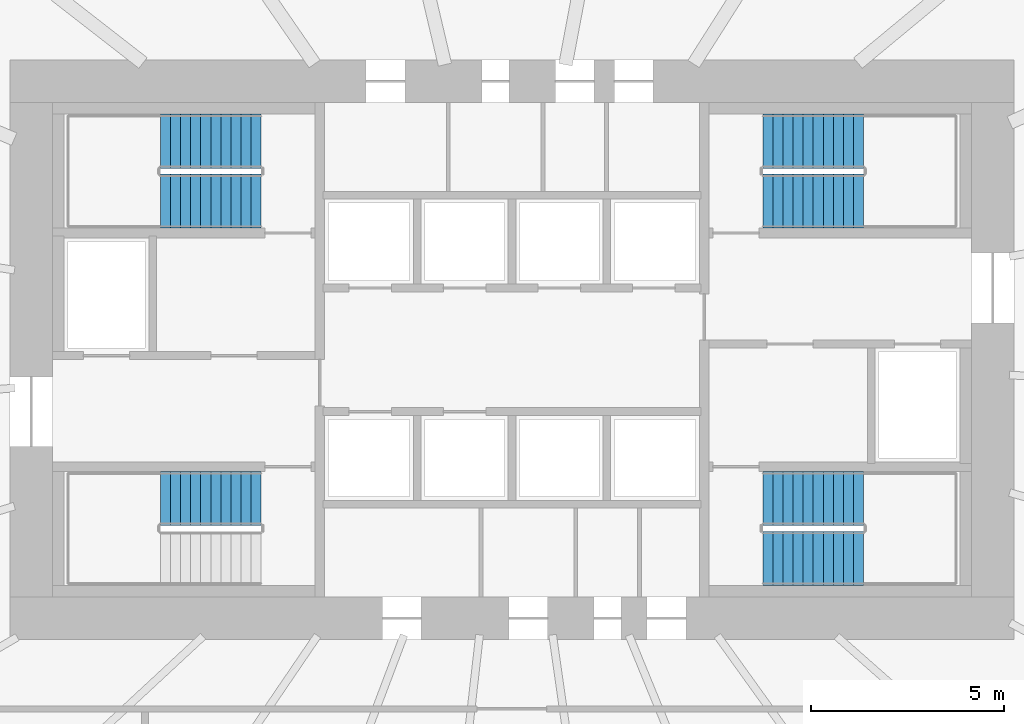
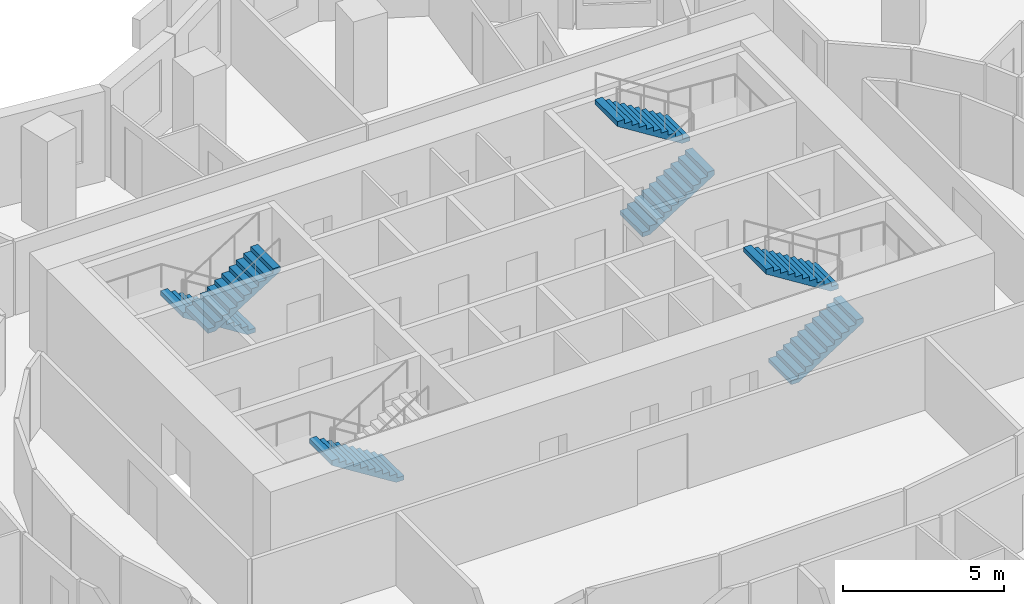
# One storey, part 11 of 13: 7 stair flights, 4 elements without a shape of their own.
"""IFC4 building model written with IfcOpenShell, lengths in metres."""

import ifcopenshell
import ifcopenshell.guid

model = None  # the IFC model being written
_history = None  # IfcOwnerHistory: only IFC2X3 demands one
_inside = {}  # id of a spatial element -> (the spatial element, [elements in it])
_under = {}  # id of a project, library or spatial element -> (it, [spatial elements below it])
_declared = {}  # id of a project -> (the project, [libraries it declares])
_typed = {}  # id of a type object -> (the type object, [elements of that type])
_made_of = {}  # id of a material, layer set ... -> (it, [elements and type objects made of it])


def new_model(schema):
    """Start an empty IFC model of exactly this schema.

    Asked for "IFC4X3", IfcOpenShell would pick the latest addendum, in which some entities
    have other attributes; the version numbers below select the first issue.
    IFC2X3 requires an IfcOwnerHistory on every rooted entity: one is made here for all.
    """
    global model, _history
    if schema == "IFC4X3":
        model = ifcopenshell.file(schema_version=(4, 3, 0, 0))
    else:
        model = ifcopenshell.file(schema=schema)
    _inside.clear()
    _under.clear()
    _declared.clear()
    _typed.clear()
    _made_of.clear()
    _history = None
    if model.schema == "IFC2X3":
        org = make("IfcOrganization", Name="unknown")
        user = make(
            "IfcPersonAndOrganization",
            ThePerson=make("IfcPerson", FamilyName="unknown"),
            TheOrganization=org,
        )
        app = make(
            "IfcApplication",
            ApplicationDeveloper=org,
            Version="unknown",
            ApplicationFullName="unknown",
            ApplicationIdentifier="unknown",
        )
        _history = make(
            "IfcOwnerHistory",
            OwningUser=user,
            OwningApplication=app,
            ChangeAction="ADDED",
            CreationDate=0,
        )
    return model


def make(cls, **values):
    """One entity of the class cls with the attributes given. An attribute that is None is left unset."""
    return model.create_entity(
        cls, **{name: value for name, value in values.items() if value is not None}
    )


def rooted(cls, **values):
    """An entity with a GlobalId (a new one), such as an element, a storey or a relation."""
    return make(cls, GlobalId=ifcopenshell.guid.new(), OwnerHistory=_history, **values)


def si_unit(unit_type, name, prefix=None):
    """IfcSIUnit, for example si_unit("LENGTHUNIT", "METRE", prefix="MILLI")."""
    return make("IfcSIUnit", UnitType=unit_type, Prefix=prefix, Name=name)


def assignment(units):
    """IfcUnitAssignment: the units of a project."""
    return None if units is None else make("IfcUnitAssignment", Units=units)


def point(xyz):
    """IfcCartesianPoint."""
    return None if xyz is None else make("IfcCartesianPoint", Coordinates=xyz)


def direction(xyz):
    """IfcDirection."""
    return None if xyz is None else make("IfcDirection", DirectionRatios=xyz)


def frame(location, z_axis=None, x_axis=None):
    """IfcAxis2Placement3D, a coordinate frame: its origin and axes. An axis left out is left unset."""
    return make(
        "IfcAxis2Placement3D",
        Location=point(location),
        Axis=direction(z_axis),
        RefDirection=direction(x_axis),
    )


def origin():
    """The frame at (0, 0, 0) with its axes left unset."""
    return frame((0.0, 0.0, 0.0))


def place(relative_to, where):
    """IfcLocalPlacement: puts the frame where relative to a parent placement (None: the world)."""
    return make(
        "IfcLocalPlacement", PlacementRelTo=relative_to, RelativePlacement=where
    )


def context(
    kind, dimensions, precision=None, world=None, true_north=None, identifier=None
):
    """IfcGeometricRepresentationContext, for example the 3D "Model" context."""
    return make(
        "IfcGeometricRepresentationContext",
        ContextIdentifier=identifier,
        ContextType=kind,
        CoordinateSpaceDimension=dimensions,
        Precision=precision,
        WorldCoordinateSystem=world,
        TrueNorth=true_north,
    )


def subcontext(parent, identifier, kind, view, scale=None):
    """IfcGeometricRepresentationSubContext, for example "Body" below "Model"."""
    return make(
        "IfcGeometricRepresentationSubContext",
        ContextIdentifier=identifier,
        ContextType=kind,
        ParentContext=parent,
        TargetScale=scale,
        TargetView=view,
    )


def project(units=None, contexts=None):
    """IfcProject with its units and contexts."""
    return rooted(
        "IfcProject",
        Name="project",
        RepresentationContexts=contexts,
        UnitsInContext=assignment(units),
    )


def spatial(cls, under=None, at=None, **own):
    """A site, building, storey or space (cls), placed at a placement, below another one or the project."""
    s = rooted(cls, ObjectPlacement=at, **own)
    if under is not None:
        _under.setdefault(under.id(), (under, []))[1].append(s)
    return s


def polyline(points):
    """IfcPolyline through the points."""
    return make("IfcPolyline", Points=[point(p) for p in points])


def outline(outer, holes=None, kind="AREA"):
    """IfcArbitraryClosedProfileDef: a profile drawn as a closed curve; with holes, ...WithVoids."""
    if holes is None:
        return make("IfcArbitraryClosedProfileDef", ProfileType=kind, OuterCurve=outer)
    return make(
        "IfcArbitraryProfileDefWithVoids",
        ProfileType=kind,
        OuterCurve=outer,
        InnerCurves=holes,
    )


def extrude(swept, where, along, depth):
    """IfcExtrudedAreaSolid: the profile swept, set in the frame where, extruded along a direction by depth."""
    return make(
        "IfcExtrudedAreaSolid",
        SweptArea=swept,
        Position=where,
        ExtrudedDirection=direction(along),
        Depth=depth,
    )


def shape(context_of_items, identifier, shape_type, items):
    """IfcShapeRepresentation: the items that make up one representation, for example the "Body"."""
    return make(
        "IfcShapeRepresentation",
        ContextOfItems=context_of_items,
        RepresentationIdentifier=identifier,
        RepresentationType=shape_type,
        Items=items,
    )


def material(Name=None, Category=None):
    """IfcMaterial."""
    return make("IfcMaterial", Name=Name, Category=Category)


def made_of(thing, what):
    """Note that an element or type object is made of a material, layer set ...; save() writes the relation."""
    if what is not None:
        _made_of.setdefault(what.id(), (what, []))[1].append(thing)
    return thing


def type_object(cls, material=None, **own):
    """A type object (cls), such as IfcWallType, which elements share."""
    return made_of(rooted(cls, **own), material)


def element(
    cls,
    number,
    at=None,
    inside=None,
    cuts=None,
    type_object=None,
    material=None,
    context=None,
    identifier="Body",
    shape_type=None,
    held_by="IfcProductDefinitionShape",
    body=None,
    shapes=None,
    **own,
):
    """One element of the class cls, such as IfcWall. Its Tag is "e" and its number.

    at: its placement. inside: the storey or other place that contains it. cuts: it is an
    opening in that element (IfcRelVoidsElement). A single representation is given by context,
    identifier, shape_type and body (its items); several are given by shapes. held_by: the class
    of the entity that holds the representations. save() writes the other relations.
    """
    e = rooted(cls, Tag="e%d" % number, ObjectPlacement=at, **own)
    if body is not None:
        shapes = [shape(context, identifier, shape_type, body)]
    if shapes is not None:
        e.Representation = make(held_by, Representations=shapes)
    if inside is not None:
        _inside.setdefault(inside.id(), (inside, []))[1].append(e)
    if cuts is not None:
        rooted(
            "IfcRelVoidsElement", RelatingBuildingElement=cuts, RelatedOpeningElement=e
        )
    if type_object is not None:
        _typed.setdefault(type_object.id(), (type_object, []))[1].append(e)
    return made_of(e, material)


def aggregate(whole, parts):
    """IfcRelAggregates: a whole, such as a stair, and the parts it consists of."""
    return rooted("IfcRelAggregates", RelatingObject=whole, RelatedObjects=parts)


def save(model, path):
    """Write the relations noted so far, then the file.

    IfcRelAggregates (storeys below a building ...), IfcRelContainedInSpatialStructure (elements
    in a storey), IfcRelDefinesByType, IfcRelAssociatesMaterial and IfcRelDeclares: one each for
    every whole, place, type object, material and project.
    """
    for whole, parts in _under.values():
        aggregate(whole, parts)
    for where, things in _inside.values():
        rooted(
            "IfcRelContainedInSpatialStructure",
            RelatedElements=things,
            RelatingStructure=where,
        )
    for kind, things in _typed.values():
        rooted("IfcRelDefinesByType", RelatedObjects=things, RelatingType=kind)
    for what, things in _made_of.values():
        rooted("IfcRelAssociatesMaterial", RelatedObjects=things, RelatingMaterial=what)
    for by, libraries in _declared.values():
        rooted("IfcRelDeclares", RelatingContext=by, RelatedDefinitions=libraries)
    model.write(path)


model = new_model("IFC4")

# Units and contexts
model_context = context("Model", 3, precision=1e-05, world=origin(), true_north=direction((0.0, 1.0)))
body_context = subcontext(model_context, "Body", "Model", "MODEL_VIEW")
ifc_project = project(units=[si_unit("LENGTHUNIT", "METRE"), si_unit("AREAUNIT", "SQUARE_METRE"), si_unit("VOLUMEUNIT", "CUBIC_METRE"), si_unit("PLANEANGLEUNIT", "RADIAN"), si_unit("MASSUNIT", "GRAM", prefix="KILO")], contexts=[model_context])

# Site, building, storey
site_placement = place(None, origin())
site = spatial("IfcSite", under=ifc_project, at=site_placement, CompositionType="ELEMENT")
building_placement = place(site_placement, origin())
building = spatial("IfcBuilding", under=site, at=building_placement, Name="Rubra Terraces Tower", CompositionType="ELEMENT")
storey_placement = place(building_placement, frame((0.0, 0.0, 85.199951171875)))
storey = spatial("IfcBuildingStorey", under=building, at=storey_placement, Name="L19", CompositionType="ELEMENT", Elevation=85.199951171875)

# Stair, stair flight
ifc_material = material(Name="Concrete C40", Category="concrete")
stair_type = type_object("IfcStairType", Name="Core stair 1400", PredefinedType="HALF_TURN_STAIR", material=ifc_material)
stair_1_placement = place(storey_placement, origin())
stair_1 = element("IfcStair", 1, at=stair_1_placement, inside=storey, type_object=stair_type, Name="L19 Exit stair S1", PredefinedType="HALF_TURN_STAIR")
stair_flight_type = type_object("IfcStairFlightType", Name="Core stair flight 1400", PredefinedType="STRAIGHT", material=ifc_material)
stair_flight_1_placement = place(storey_placement, frame((-6.5, 0.64990234375, 0.0), z_axis=(0.0, 0.0, 1.0), x_axis=(-1.0, 0.0, 0.0)))
stair_flight_1 = element("IfcStairFlight", 2, at=stair_flight_1_placement, type_object=stair_flight_type, Name="S1 flight 1", NumberOfRisers=11, NumberOfTreads=10, PredefinedType="STRAIGHT", RiserHeight=0.163636364, TreadLength=0.26, context=body_context, shape_type="SweptSolid", body=[
    extrude(outline(polyline([(0.0, 0.0), (0.0, 0.16357421875), (0.260009765625, 0.16357421875), (0.260009765625, 0.327392578125), (0.52001953125, 0.327392578125), (0.52001953125, 0.490966796875), (0.780029296875, 0.490966796875), (0.780029296875, 0.654541015625), (1.0400390625, 0.654541015625), (1.0400390625, 0.818115234375), (1.300048828125, 0.818115234375), (1.300048828125, 0.98193359375), (1.56005859375, 0.98193359375), (1.56005859375, 1.1455078125), (1.820068359375, 1.1455078125), (1.820068359375, 1.30908203125), (2.080078125, 1.30908203125), (2.080078125, 1.47265625), (2.340087890625, 1.47265625), (2.340087890625, 1.636474609375), (2.60009765625, 1.636474609375), (2.60009765625, 1.800048828125), (2.60009765625, 1.459228515625), (0.281494140625, 0.0), (0.0, 0.0)])), frame((0.0, 0.699951171875, 0.0), z_axis=(0.0, -1.0, 0.0), x_axis=(1.0, 0.0, 0.0)), (0.0, 0.0, 1.0), 1.39990234375),
])
aggregate(stair_1, [stair_flight_1])

# Stair, stair flights
stair_2_placement = place(storey_placement, origin())
stair_2 = element("IfcStair", 3, at=stair_2_placement, inside=storey, type_object=stair_type, Name="L19 Exit stair S2", PredefinedType="HALF_TURN_STAIR")
stair_flight_2_placement = place(storey_placement, frame((-6.5, 9.89990234375, 0.0), z_axis=(0.0, 0.0, 1.0), x_axis=(-1.0, 0.0, 0.0)))
stair_flight_2 = element("IfcStairFlight", 4, at=stair_flight_2_placement, type_object=stair_flight_type, Name="S2 flight 1", NumberOfRisers=11, NumberOfTreads=10, PredefinedType="STRAIGHT", RiserHeight=0.163636364, TreadLength=0.26, context=body_context, shape_type="SweptSolid", body=[
    extrude(outline(polyline([(0.0, 0.0), (0.0, 0.16357421875), (0.260009765625, 0.16357421875), (0.260009765625, 0.327392578125), (0.52001953125, 0.327392578125), (0.52001953125, 0.490966796875), (0.780029296875, 0.490966796875), (0.780029296875, 0.654541015625), (1.0400390625, 0.654541015625), (1.0400390625, 0.818115234375), (1.300048828125, 0.818115234375), (1.300048828125, 0.98193359375), (1.56005859375, 0.98193359375), (1.56005859375, 1.1455078125), (1.820068359375, 1.1455078125), (1.820068359375, 1.30908203125), (2.080078125, 1.30908203125), (2.080078125, 1.47265625), (2.340087890625, 1.47265625), (2.340087890625, 1.636474609375), (2.60009765625, 1.636474609375), (2.60009765625, 1.800048828125), (2.60009765625, 1.459228515625), (0.281494140625, 0.0), (0.0, 0.0)])), frame((0.0, 0.699951171875, 0.0), z_axis=(0.0, -1.0, 0.0), x_axis=(1.0, 0.0, 0.0)), (0.0, 0.0, 1.0), 1.39990234375),
])
stair_flight_3_placement = place(storey_placement, frame((-9.10009765625, 8.35009765625, 1.800048828125), z_axis=(0.0, 0.0, 1.0), x_axis=(1.0, 0.0, 0.0)))
stair_flight_3 = element("IfcStairFlight", 5, at=stair_flight_3_placement, type_object=stair_flight_type, Name="S2 flight 2", NumberOfRisers=11, NumberOfTreads=10, PredefinedType="STRAIGHT", RiserHeight=0.163636364, TreadLength=0.26, context=body_context, shape_type="SweptSolid", body=[
    extrude(outline(polyline([(0.0, 0.0), (0.0, 0.16357421875), (0.260009765625, 0.16357421875), (0.260009765625, 0.327392578125), (0.52001953125, 0.327392578125), (0.52001953125, 0.490966796875), (0.780029296875, 0.490966796875), (0.780029296875, 0.654541015625), (1.0400390625, 0.654541015625), (1.0400390625, 0.818115234375), (1.300048828125, 0.818115234375), (1.300048828125, 0.98193359375), (1.56005859375, 0.98193359375), (1.56005859375, 1.1455078125), (1.820068359375, 1.1455078125), (1.820068359375, 1.30908203125), (2.080078125, 1.30908203125), (2.080078125, 1.47265625), (2.340087890625, 1.47265625), (2.340087890625, 1.636474609375), (2.60009765625, 1.636474609375), (2.60009765625, 1.800048828125), (2.60009765625, 1.459228515625), (0.281494140625, 0.0), (0.0, 0.0)])), frame((0.0, 0.699951171875, 0.0), z_axis=(0.0, -1.0, 0.0), x_axis=(1.0, 0.0, 0.0)), (0.0, 0.0, 1.0), 1.39990234375),
])
aggregate(stair_2, [stair_flight_2, stair_flight_3])

stair_3_placement = place(storey_placement, origin())
stair_3 = element("IfcStair", 6, at=stair_3_placement, inside=storey, type_object=stair_type, Name="L19 Exit stair S3", PredefinedType="HALF_TURN_STAIR")
stair_flight_4_placement = place(storey_placement, frame((6.5, 8.35009765625, 0.0), z_axis=(0.0, 0.0, 1.0), x_axis=(1.0, 0.0, 0.0)))
stair_flight_4 = element("IfcStairFlight", 7, at=stair_flight_4_placement, type_object=stair_flight_type, Name="S3 flight 1", NumberOfRisers=11, NumberOfTreads=10, PredefinedType="STRAIGHT", RiserHeight=0.163636364, TreadLength=0.26, context=body_context, shape_type="SweptSolid", body=[
    extrude(outline(polyline([(0.0, 0.0), (0.0, 0.16357421875), (0.260009765625, 0.16357421875), (0.260009765625, 0.327392578125), (0.52001953125, 0.327392578125), (0.52001953125, 0.490966796875), (0.780029296875, 0.490966796875), (0.780029296875, 0.654541015625), (1.0400390625, 0.654541015625), (1.0400390625, 0.818115234375), (1.300048828125, 0.818115234375), (1.300048828125, 0.98193359375), (1.56005859375, 0.98193359375), (1.56005859375, 1.1455078125), (1.820068359375, 1.1455078125), (1.820068359375, 1.30908203125), (2.080078125, 1.30908203125), (2.080078125, 1.47265625), (2.340087890625, 1.47265625), (2.340087890625, 1.636474609375), (2.60009765625, 1.636474609375), (2.60009765625, 1.800048828125), (2.60009765625, 1.459228515625), (0.281494140625, 0.0), (0.0, 0.0)])), frame((0.0, 0.699951171875, 0.0), z_axis=(0.0, -1.0, 0.0), x_axis=(1.0, 0.0, 0.0)), (0.0, 0.0, 1.0), 1.39990234375),
])
stair_flight_5_placement = place(storey_placement, frame((9.10009765625, 9.89990234375, 1.800048828125), z_axis=(0.0, 0.0, 1.0), x_axis=(-1.0, 0.0, 0.0)))
stair_flight_5 = element("IfcStairFlight", 8, at=stair_flight_5_placement, type_object=stair_flight_type, Name="S3 flight 2", NumberOfRisers=11, NumberOfTreads=10, PredefinedType="STRAIGHT", RiserHeight=0.163636364, TreadLength=0.26, context=body_context, shape_type="SweptSolid", body=[
    extrude(outline(polyline([(0.0, 0.0), (0.0, 0.16357421875), (0.260009765625, 0.16357421875), (0.260009765625, 0.327392578125), (0.52001953125, 0.327392578125), (0.52001953125, 0.490966796875), (0.780029296875, 0.490966796875), (0.780029296875, 0.654541015625), (1.0400390625, 0.654541015625), (1.0400390625, 0.818115234375), (1.300048828125, 0.818115234375), (1.300048828125, 0.98193359375), (1.56005859375, 0.98193359375), (1.56005859375, 1.1455078125), (1.820068359375, 1.1455078125), (1.820068359375, 1.30908203125), (2.080078125, 1.30908203125), (2.080078125, 1.47265625), (2.340087890625, 1.47265625), (2.340087890625, 1.636474609375), (2.60009765625, 1.636474609375), (2.60009765625, 1.800048828125), (2.60009765625, 1.459228515625), (0.281494140625, 0.0), (0.0, 0.0)])), frame((0.0, 0.699951171875, 0.0), z_axis=(0.0, -1.0, 0.0), x_axis=(1.0, 0.0, 0.0)), (0.0, 0.0, 1.0), 1.39990234375),
])
aggregate(stair_3, [stair_flight_4, stair_flight_5])

stair_4_placement = place(storey_placement, origin())
stair_4 = element("IfcStair", 9, at=stair_4_placement, inside=storey, type_object=stair_type, Name="L19 Exit stair S4", PredefinedType="HALF_TURN_STAIR")
stair_flight_6_placement = place(storey_placement, frame((6.5, -0.89990234375, 0.0), z_axis=(0.0, 0.0, 1.0), x_axis=(1.0, 0.0, 0.0)))
stair_flight_6 = element("IfcStairFlight", 10, at=stair_flight_6_placement, type_object=stair_flight_type, Name="S4 flight 1", NumberOfRisers=11, NumberOfTreads=10, PredefinedType="STRAIGHT", RiserHeight=0.163636364, TreadLength=0.26, context=body_context, shape_type="SweptSolid", body=[
    extrude(outline(polyline([(0.0, 0.0), (0.0, 0.16357421875), (0.260009765625, 0.16357421875), (0.260009765625, 0.327392578125), (0.52001953125, 0.327392578125), (0.52001953125, 0.490966796875), (0.780029296875, 0.490966796875), (0.780029296875, 0.654541015625), (1.0400390625, 0.654541015625), (1.0400390625, 0.818115234375), (1.300048828125, 0.818115234375), (1.300048828125, 0.98193359375), (1.56005859375, 0.98193359375), (1.56005859375, 1.1455078125), (1.820068359375, 1.1455078125), (1.820068359375, 1.30908203125), (2.080078125, 1.30908203125), (2.080078125, 1.47265625), (2.340087890625, 1.47265625), (2.340087890625, 1.636474609375), (2.60009765625, 1.636474609375), (2.60009765625, 1.800048828125), (2.60009765625, 1.459228515625), (0.281494140625, 0.0), (0.0, 0.0)])), frame((0.0, 0.699951171875, 0.0), z_axis=(0.0, -1.0, 0.0), x_axis=(1.0, 0.0, 0.0)), (0.0, 0.0, 1.0), 1.39990234375),
])
stair_flight_7_placement = place(storey_placement, frame((9.10009765625, 0.64990234375, 1.800048828125), z_axis=(0.0, 0.0, 1.0), x_axis=(-1.0, 0.0, 0.0)))
stair_flight_7 = element("IfcStairFlight", 11, at=stair_flight_7_placement, type_object=stair_flight_type, Name="S4 flight 2", NumberOfRisers=11, NumberOfTreads=10, PredefinedType="STRAIGHT", RiserHeight=0.163636364, TreadLength=0.26, context=body_context, shape_type="SweptSolid", body=[
    extrude(outline(polyline([(0.0, 0.0), (0.0, 0.16357421875), (0.260009765625, 0.16357421875), (0.260009765625, 0.327392578125), (0.52001953125, 0.327392578125), (0.52001953125, 0.490966796875), (0.780029296875, 0.490966796875), (0.780029296875, 0.654541015625), (1.0400390625, 0.654541015625), (1.0400390625, 0.818115234375), (1.300048828125, 0.818115234375), (1.300048828125, 0.98193359375), (1.56005859375, 0.98193359375), (1.56005859375, 1.1455078125), (1.820068359375, 1.1455078125), (1.820068359375, 1.30908203125), (2.080078125, 1.30908203125), (2.080078125, 1.47265625), (2.340087890625, 1.47265625), (2.340087890625, 1.636474609375), (2.60009765625, 1.636474609375), (2.60009765625, 1.800048828125), (2.60009765625, 1.459228515625), (0.281494140625, 0.0), (0.0, 0.0)])), frame((0.0, 0.699951171875, 0.0), z_axis=(0.0, -1.0, 0.0), x_axis=(1.0, 0.0, 0.0)), (0.0, 0.0, 1.0), 1.39990234375),
])
aggregate(stair_4, [stair_flight_6, stair_flight_7])

save(model, "model.ifc")
